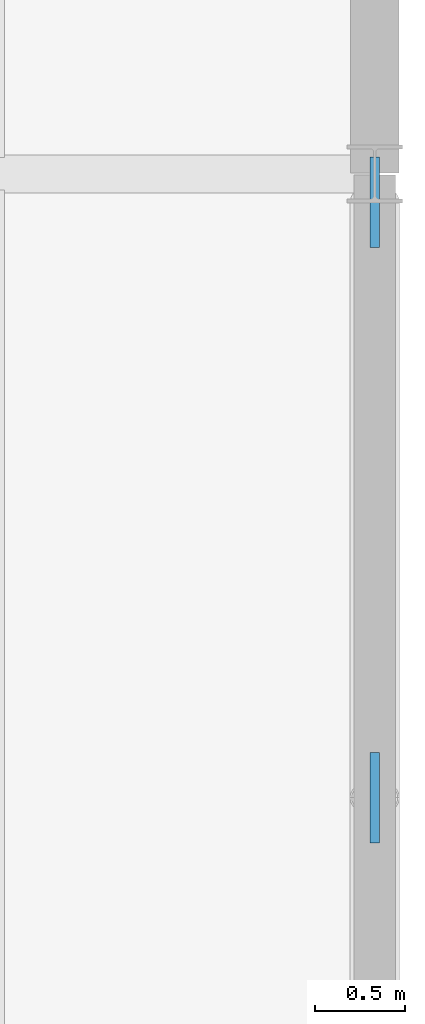
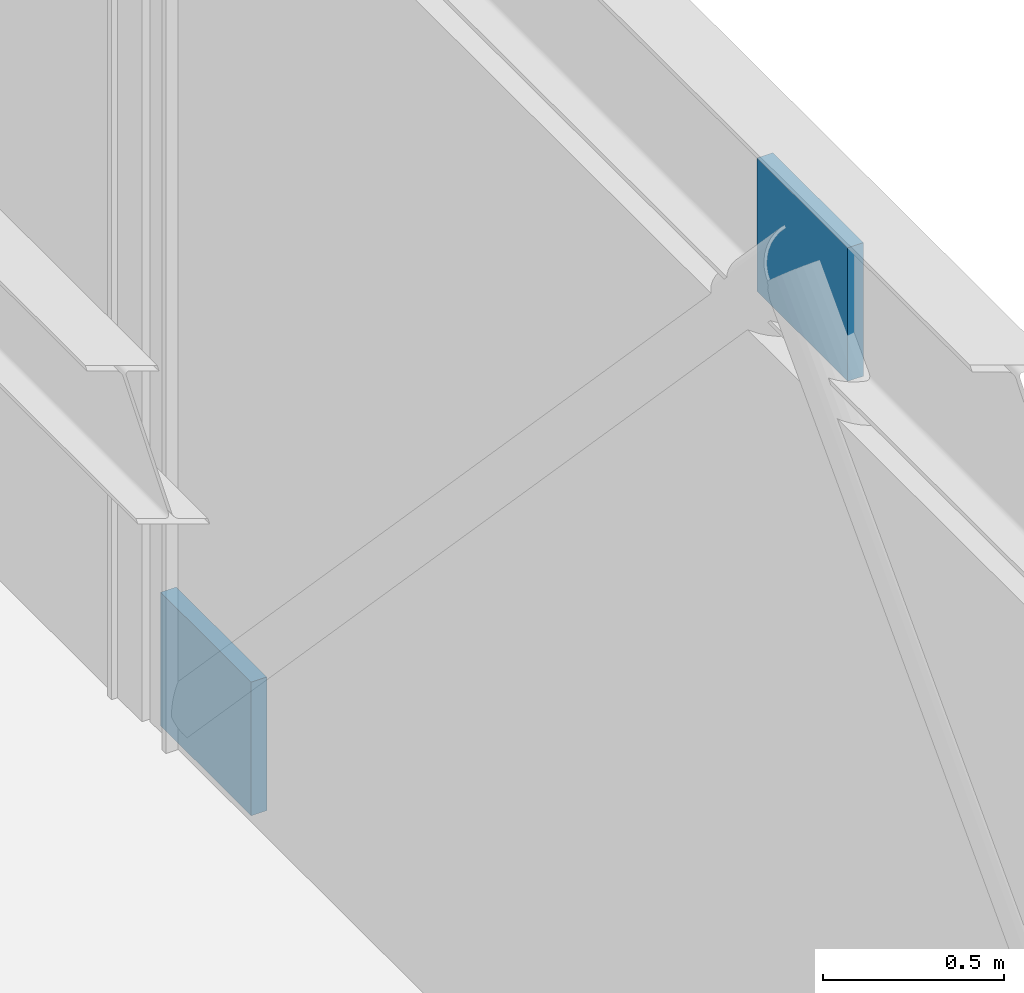
# One storey, part 127 of 144: 2 plates.
"""IFC4 building model written with IfcOpenShell, lengths in metres."""

from ifc_helpers import new_model, si_unit, direction, frame, origin, origin_2d, place, context, subcontext, project, spatial, rectangle, extrude, material, layer, layer_set, type_object, element, save


model = new_model("IFC4")

# Units and contexts
model_context = context("Model", 3, precision=1e-05, world=origin(), true_north=direction((0.0, 1.0)))
body_context = subcontext(model_context, "Body", "Model", "MODEL_VIEW")
ifc_project = project(units=[si_unit("LENGTHUNIT", "METRE"), si_unit("AREAUNIT", "SQUARE_METRE"), si_unit("VOLUMEUNIT", "CUBIC_METRE"), si_unit("PLANEANGLEUNIT", "RADIAN"), si_unit("MASSUNIT", "GRAM", prefix="KILO")], contexts=[model_context])

# Site, building, storey
site_placement = place(None, origin())
site = spatial("IfcSite", under=ifc_project, at=site_placement, CompositionType="ELEMENT")
building_placement = place(site_placement, origin())
building = spatial("IfcBuilding", under=site, at=building_placement, Name="Trelmorton Wharf Fire Station", CompositionType="ELEMENT")
storey_placement = place(building_placement, frame((0.0, 0.0, 5.39990234375)))
storey = spatial("IfcBuildingStorey", under=building, at=storey_placement, Name="L01", CompositionType="ELEMENT", Elevation=5.39990234375)

# Plates
ifc_material = material(Name="Steel Grade 350", Category="steel")
ifc_layer = layer(ifc_material, 0.050048828125)
ifc_layer_set = layer_set([ifc_layer], Name="Steel Grade 350")
plate_type = type_object("IfcPlateType", Name="PL_GUSSET_TN2", PredefinedType="USERDEFINED", material=ifc_layer_set)
for number, where, z_axis, x_axis, name in (
    (1, (162.39990234375, 67.04248046875, -0.10498046875), (0.0, 0.0, 1.0), (1.0, 0.0, 0.0), "PL-CBF-0455"),
    (2, (162.39990234375, 63.75, 3.35498046875), (0.0, 0.0, 1.0), (1.0, 0.0, 0.0), "PL-CBF-0456"),
):
    element("IfcPlate", number, at=place(storey_placement, frame(where, z_axis=z_axis, x_axis=x_axis)), inside=storey, type_object=plate_type, Name=name, ObjectType="GUSSET PLATE", PredefinedType="USERDEFINED", context=body_context, shape_type="SweptSolid", body=[
        extrude(rectangle(XDim=0.050048828125, YDim=0.5, at=origin_2d()), origin(), (0.0, 0.0, 1.0), 0.449951171875),
    ])

save(model, "model.ifc")
